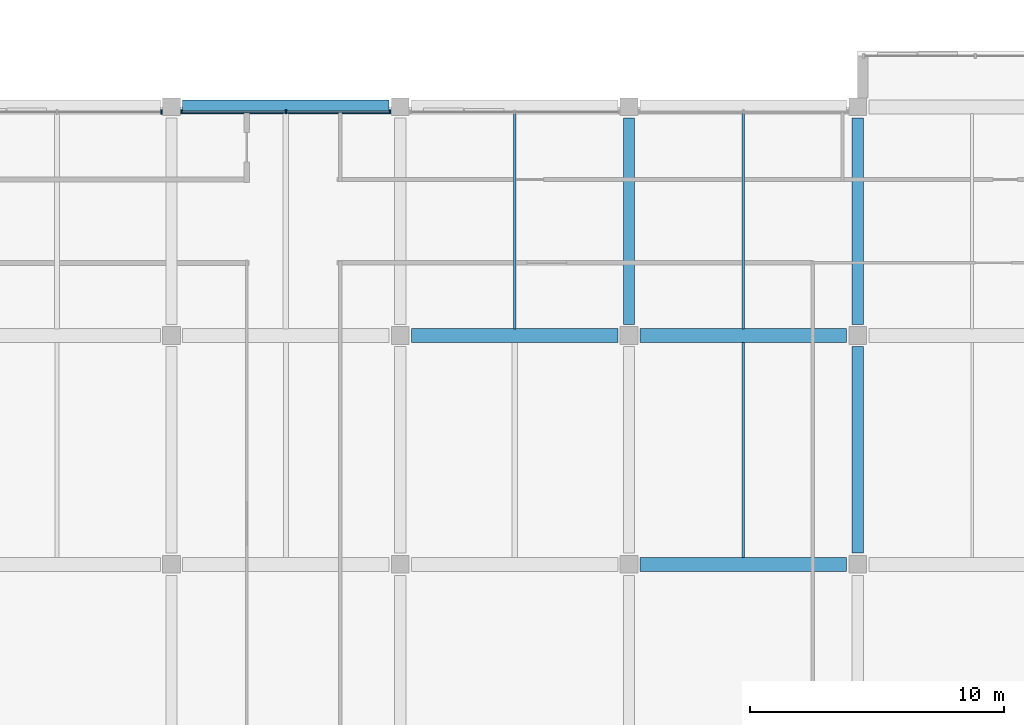
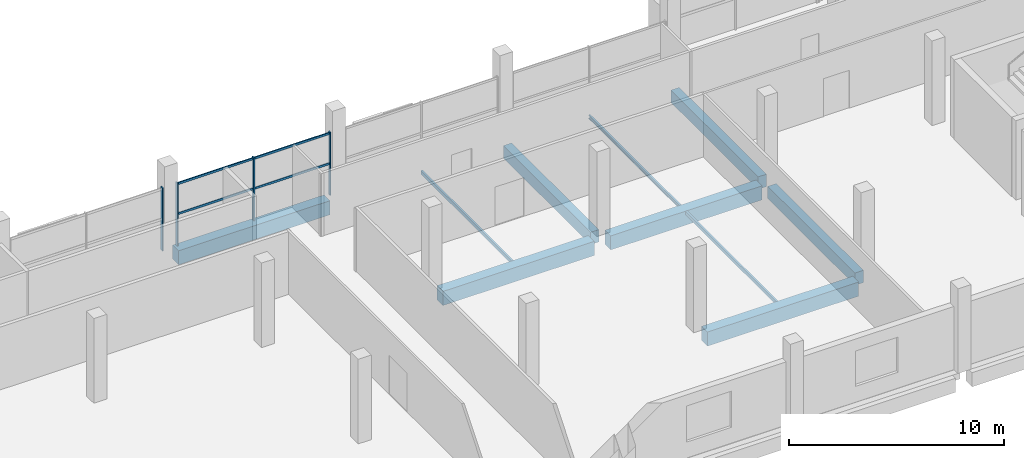
# One storey, part 48 of 111: 10 beams, 6 members, 2 elements without a shape of their own.
"""IFC4 building model written with IfcOpenShell, lengths in metres."""

from ifc_helpers import new_model, si_unit, direction, frame, origin, origin_2d, place, context, subcontext, project, spatial, rectangle, hollow_rectangle, i_section, extrude, material, material_profile, profile_set, type_object, element, aggregate, save


model = new_model("IFC4")

# Units and contexts
model_context = context("Model", 3, precision=1e-05, world=origin(), true_north=direction((0.0, 1.0)))
body_context = subcontext(model_context, "Body", "Model", "MODEL_VIEW")
ifc_project = project(units=[si_unit("LENGTHUNIT", "METRE"), si_unit("AREAUNIT", "SQUARE_METRE"), si_unit("VOLUMEUNIT", "CUBIC_METRE"), si_unit("PLANEANGLEUNIT", "RADIAN"), si_unit("MASSUNIT", "GRAM", prefix="KILO"), si_unit("THERMODYNAMICTEMPERATUREUNIT", "KELVIN"), si_unit("POWERUNIT", "WATT")], contexts=[model_context])

# Site, building, storey
site_placement = place(None, origin())
site = spatial("IfcSite", under=ifc_project, at=site_placement, CompositionType="ELEMENT")
building_placement = place(site_placement, origin())
building = spatial("IfcBuilding", under=site, at=building_placement, Name="Sindhuravela Promenade Stadium", CompositionType="ELEMENT")
storey_placement = place(building_placement, frame((0.0, 0.0, 9.60009765625)))
storey = spatial("IfcBuildingStorey", under=building, at=storey_placement, Name="L02", CompositionType="ELEMENT", Elevation=9.60009765625)

# Curtain wall, member
ifc_material_1 = material(Name="Anodised architectural aluminium 6063-T6", Category="aluminium")
curtain_wall_type_1 = type_object("IfcCurtainWallType", Name="CW-MOD-7", PredefinedType="NOTDEFINED", material=ifc_material_1)
curtain_wall_1_placement = place(storey_placement, origin())
curtain_wall_1 = element("IfcCurtainWall", 1, at=curtain_wall_1_placement, inside=storey, type_object=curtain_wall_type_1, Name="Bronze curtain wall CW-NORTH-L02-158", PredefinedType="NOTDEFINED")
ifc_material_profile_1 = material_profile(ifc_material_1, rectangle(XDim=0.06005859375, YDim=0.179931640625, at=origin_2d()), Name="ALU M60x180")
ifc_profile_set_1 = profile_set([ifc_material_profile_1], Name="Anodised architectural aluminium 6063-T6")
member_type_1 = type_object("IfcMemberType", Name="CW-MUL-3", PredefinedType="MULLION", material=ifc_profile_set_1)
member_1_placement = place(storey_placement, frame((98.60009765625, 152.800048828125, 0.0), z_axis=(0.0, 0.0, 1.0), x_axis=(1.0, 0.0, 0.0)))
member_1 = element("IfcMember", 2, at=member_1_placement, type_object=member_type_1, Name="Curtain wall mullion CW-NORTH-L02-158-M3", PredefinedType="MULLION", context=body_context, shape_type="SweptSolid", body=[
    extrude(rectangle(XDim=0.06005859375, YDim=0.179931640625, at=origin_2d()), origin(), (0.0, 0.0, 1.0), 3.579833984375),
])
aggregate(curtain_wall_1, [member_1])

# Curtain wall, members
curtain_wall_type_2 = type_object("IfcCurtainWallType", Name="CW-MOD-8", PredefinedType="NOTDEFINED", material=ifc_material_1)
curtain_wall_2_placement = place(storey_placement, origin())
curtain_wall_2 = element("IfcCurtainWall", 3, at=curtain_wall_2_placement, inside=storey, type_object=curtain_wall_type_2, Name="Bronze curtain wall CW-NORTH-L02-159", PredefinedType="NOTDEFINED")
ifc_material_profile_2 = material_profile(ifc_material_1, rectangle(XDim=0.06005859375, YDim=0.159912109375, at=origin_2d()), Name="ALU M60x160")
ifc_profile_set_2 = profile_set([ifc_material_profile_2], Name="Anodised architectural aluminium 6063-T6")
member_type_2 = type_object("IfcMemberType", Name="CW-MUL-4", PredefinedType="MULLION", material=ifc_profile_set_2)
member_2_placement = place(storey_placement, frame((99.39990234375, 152.800048828125, 0.0), z_axis=(0.0, 0.0, 1.0), x_axis=(1.0, 0.0, 0.0)))
member_2 = element("IfcMember", 4, at=member_2_placement, type_object=member_type_2, Name="Curtain wall mullion CW-NORTH-L02-159-M1", PredefinedType="MULLION", context=body_context, shape_type="SweptSolid", body=[
    extrude(rectangle(XDim=0.06005859375, YDim=0.159912109375, at=origin_2d()), origin(), (0.0, 0.0, 1.0), 3.579833984375),
])
member_3_placement = place(storey_placement, frame((103.5, 152.800048828125, 0.0), z_axis=(0.0, 0.0, 1.0), x_axis=(1.0, 0.0, 0.0)))
member_3 = element("IfcMember", 5, at=member_3_placement, type_object=member_type_2, Name="Curtain wall mullion CW-NORTH-L02-159-M2", PredefinedType="MULLION", context=body_context, shape_type="SweptSolid", body=[
    extrude(rectangle(XDim=0.06005859375, YDim=0.159912109375, at=origin_2d()), origin(), (0.0, 0.0, 1.0), 3.579833984375),
])
member_4_placement = place(storey_placement, frame((107.60009765625, 152.800048828125, 0.0), z_axis=(0.0, 0.0, 1.0), x_axis=(1.0, 0.0, 0.0)))
member_4 = element("IfcMember", 6, at=member_4_placement, type_object=member_type_2, Name="Curtain wall mullion CW-NORTH-L02-159-M3", PredefinedType="MULLION", context=body_context, shape_type="SweptSolid", body=[
    extrude(rectangle(XDim=0.06005859375, YDim=0.159912109375, at=origin_2d()), origin(), (0.0, 0.0, 1.0), 3.579833984375),
])
ifc_material_profile_3 = material_profile(ifc_material_1, rectangle(XDim=0.06005859375, YDim=0.1201171875, at=origin_2d()), Name="ALU T60x120")
ifc_profile_set_3 = profile_set([ifc_material_profile_3], Name="Anodised architectural aluminium 6063-T6")
member_type_3 = type_object("IfcMemberType", Name="CW-TRN-4", PredefinedType="USERDEFINED", material=ifc_profile_set_3)
member_5_placement = place(storey_placement, frame((99.375, 152.800048828125, 1.789794921875), z_axis=(1.0, 0.0, 0.0), x_axis=(0.0, 1.0, 0.0)))
member_5 = element("IfcMember", 7, at=member_5_placement, type_object=member_type_3, Name="Curtain wall transom CW-NORTH-L02-159-T1", ObjectType="TRANSOM", PredefinedType="USERDEFINED", context=body_context, shape_type="SweptSolid", body=[
    extrude(rectangle(XDim=0.06005859375, YDim=0.1201171875, at=origin_2d()), origin(), (0.0, 0.0, 1.0), 8.25),
])
member_6_placement = place(storey_placement, frame((99.375, 152.800048828125, 3.5), z_axis=(1.0, 0.0, 0.0), x_axis=(0.0, 1.0, 0.0)))
member_6 = element("IfcMember", 8, at=member_6_placement, type_object=member_type_3, Name="Curtain wall transom CW-NORTH-L02-159-T2", ObjectType="TRANSOM", PredefinedType="USERDEFINED", context=body_context, shape_type="SweptSolid", body=[
    extrude(rectangle(XDim=0.06005859375, YDim=0.1201171875, at=origin_2d()), origin(), (0.0, 0.0, 1.0), 8.25),
])
aggregate(curtain_wall_2, [member_2, member_3, member_4, member_5, member_6])

# Beams
ifc_material_2 = material(Name="Concrete M40", Category="concrete")
ifc_material_profile_4 = material_profile(ifc_material_2, rectangle(XDim=0.449951171875, YDim=0.699951171875, at=origin_2d()), Name="RC 450x700")
ifc_profile_set_4 = profile_set([ifc_material_profile_4], Name="Concrete M40")
beam_type_1 = type_object("IfcBeamType", Name="RC-BM-450x700", PredefinedType="BEAM", material=ifc_profile_set_4)
for number, where, z_axis, x_axis, name in (
    (9, (117.0, 144.43994140625, -0.630126953125), (0.0, 1.0, 0.0), (-1.0, 0.0, 0.0), "Primary beam GB07 NORTH L02"),
    (10, (126.0, 135.43994140625, -0.630126953125), (0.0, 1.0, 0.0), (-1.0, 0.0, 0.0), "Primary beam GB07 NORTH L02"),
    (11, (126.0, 144.43994140625, -0.630126953125), (0.0, 1.0, 0.0), (-1.0, 0.0, 0.0), "Primary beam GB07 NORTH L02"),
):
    element("IfcBeam", number, at=place(storey_placement, frame(where, z_axis=z_axis, x_axis=x_axis)), inside=storey, type_object=beam_type_1, Name=name, PredefinedType="BEAM", context=body_context, shape_type="SweptSolid", body=[
        extrude(rectangle(XDim=0.449951171875, YDim=0.699951171875, at=origin_2d()), origin(), (0.0, 0.0, 1.0), 8.1201171875),
    ])
ifc_material_profile_5 = material_profile(ifc_material_2, rectangle(XDim=0.550048828125, YDim=0.800048828125, at=origin_2d()), Name="RC 550x800")
ifc_profile_set_5 = profile_set([ifc_material_profile_5], Name="Concrete M40")
beam_type_2 = type_object("IfcBeamType", Name="RC-BM-550x800", PredefinedType="BEAM", material=ifc_profile_set_5)
for number, where, z_axis, x_axis, name in (
    (12, (117.43994140625, 135.0, -0.68017578125), (1.0, 0.0, 0.0), (0.0, 1.0, 0.0), "Primary girder GB05 NORTH L02"),
    (13, (108.43994140625, 144.0, -0.68017578125), (1.0, 0.0, 0.0), (0.0, 1.0, 0.0), "Primary girder GB05 NORTH L02"),
    (14, (117.43994140625, 144.0, -0.68017578125), (1.0, 0.0, 0.0), (0.0, 1.0, 0.0), "Primary girder GB05 NORTH L02"),
    (15, (99.43994140625, 153.0, -0.68017578125), (1.0, 0.0, 0.0), (0.0, 1.0, 0.0), "Primary girder GB05 NORTH L02"),
):
    element("IfcBeam", number, at=place(storey_placement, frame(where, z_axis=z_axis, x_axis=x_axis)), inside=storey, type_object=beam_type_2, Name=name, PredefinedType="BEAM", context=body_context, shape_type="SweptSolid", body=[
        extrude(rectangle(XDim=0.550048828125, YDim=0.800048828125, at=origin_2d()), origin(), (0.0, 0.0, 1.0), 8.1201171875),
    ])
ifc_material_3 = material(Name="Steel E350 (IS 2062 E350BR)", Category="steel")
ifc_material_profile_6 = material_profile(ifc_material_3, hollow_rectangle(XDim=0.10009765625, YDim=0.199951171875, WallThickness=0.008056640625, at=origin_2d()), Name="RHS 200x100x8")
ifc_profile_set_6 = profile_set([ifc_material_profile_6], Name="Steel E350 (IS 2062 E350BR)")
beam_type_3 = type_object("IfcBeamType", Name="ST-BM-LNT200", PredefinedType="LINTEL", material=ifc_profile_set_6)
for number, where, z_axis, x_axis, name in (
    (16, (121.5, 135.264892578125, -0.380126953125), (0.0, 1.0, 0.0), (-1.0, 0.0, 0.0), "Secondary floor joist LN01 NORTH L02"),
    (17, (112.5, 144.264892578125, -0.380126953125), (0.0, 1.0, 0.0), (-1.0, 0.0, 0.0), "Secondary floor joist LN01 NORTH L02"),
):
    element("IfcBeam", number, at=place(storey_placement, frame(where, z_axis=z_axis, x_axis=x_axis)), inside=storey, type_object=beam_type_3, Name=name, PredefinedType="LINTEL", context=body_context, shape_type="SweptSolid", body=[
        extrude(hollow_rectangle(XDim=0.10009765625, YDim=0.199951171875, WallThickness=0.008056640625, at=origin_2d()), origin(), (0.0, 0.0, 1.0), 8.47021484375),
    ])
ifc_material_profile_7 = material_profile(ifc_material_3, i_section(OverallWidth=0.10009765625, OverallDepth=0.199951171875, WebThickness=0.005615234375, FlangeThickness=0.0107421875, FilletRadius=0.010986328125, at=origin_2d()), Name="ISMB 200")
ifc_profile_set_7 = profile_set([ifc_material_profile_7], Name="Steel E350 (IS 2062 E350BR)")
beam_type_4 = type_object("IfcBeamType", Name="ST-BM-MB200", PredefinedType="JOIST", material=ifc_profile_set_7)
beam_placement = place(storey_placement, frame((121.5, 144.264892578125, -0.380126953125), z_axis=(0.0, 1.0, 0.0), x_axis=(-1.0, 0.0, 0.0)))
element("IfcBeam", 18, at=beam_placement, inside=storey, type_object=beam_type_4, Name="Secondary floor joist SB01 NORTH L02", PredefinedType="JOIST", context=body_context, shape_type="SweptSolid", body=[
    extrude(i_section(OverallWidth=0.10009765625, OverallDepth=0.199951171875, WebThickness=0.005615234375, FlangeThickness=0.0107421875, FilletRadius=0.010986328125, at=origin_2d()), origin(), (0.0, 0.0, 1.0), 8.47021484375),
])

save(model, "model.ifc")
